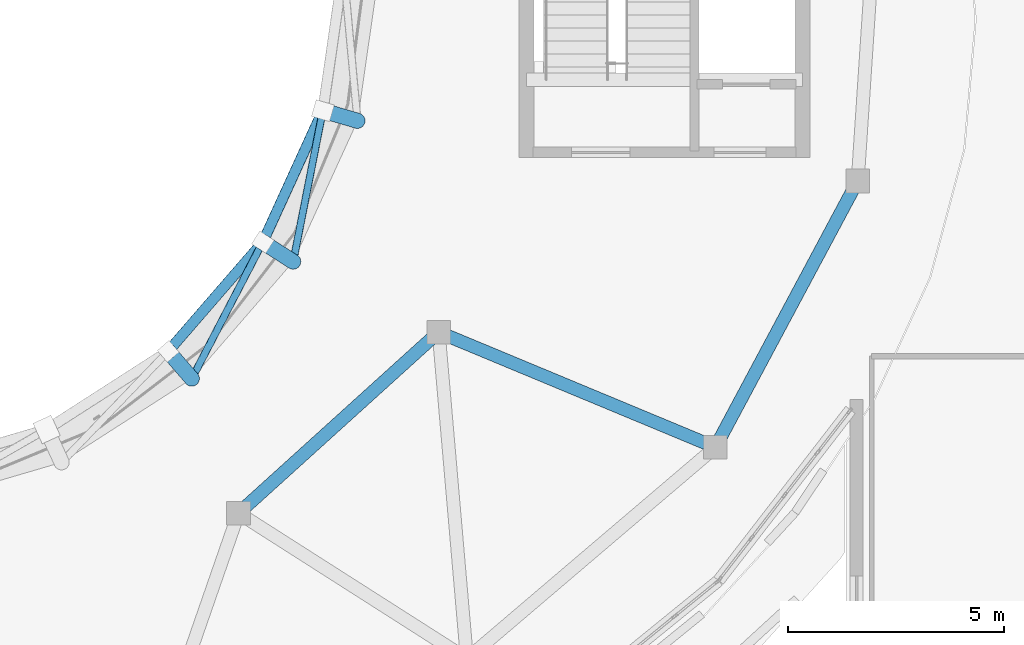
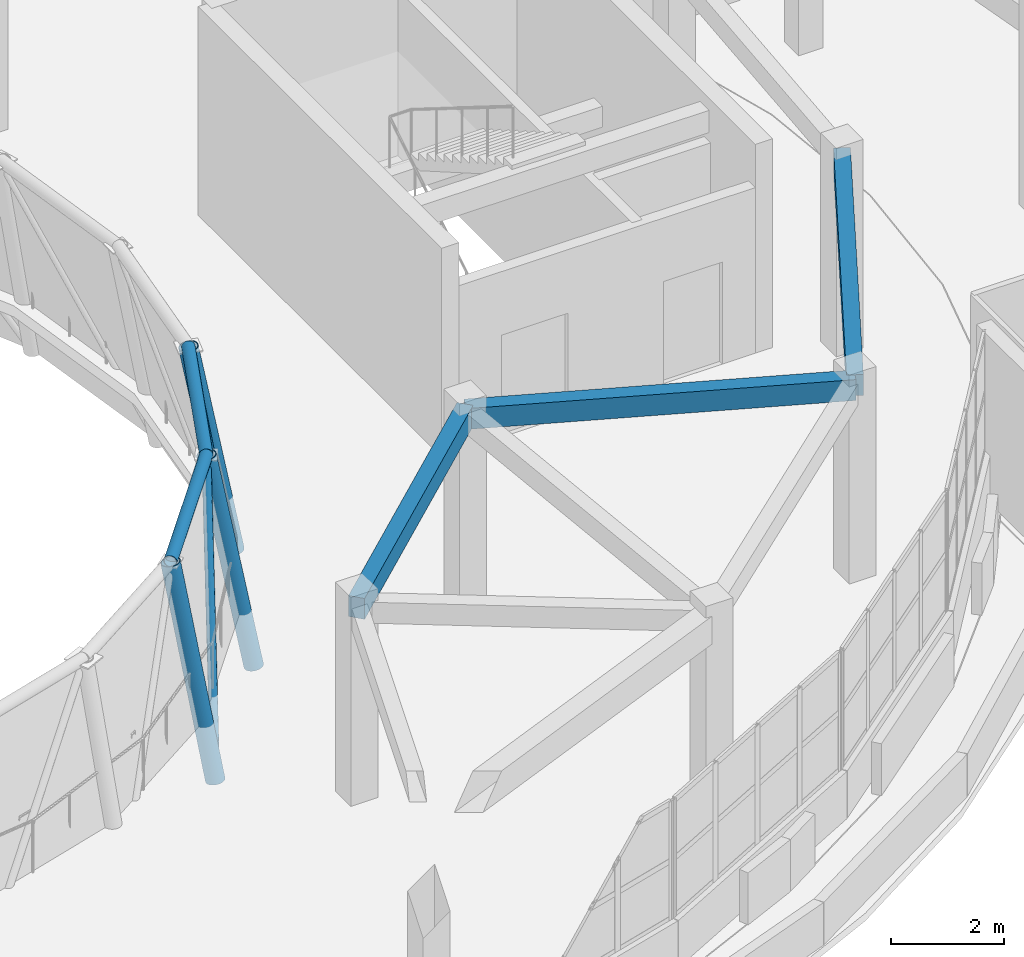
# One storey, part 10 of 46: 8 beams, 2 members.
"""IFC4 building model written with IfcOpenShell, lengths in metres."""

from ifc_helpers import new_model, si_unit, direction, frame, origin, origin_2d, place, context, subcontext, project, spatial, rectangle, hollow_circle, extrude, material, material_profile, profile_set, type_object, element, save


model = new_model("IFC4")

# Units and contexts
model_context = context("Model", 3, precision=1e-05, world=origin(), true_north=direction((0.0, 1.0)))
body_context = subcontext(model_context, "Body", "Model", "MODEL_VIEW")
ifc_project = project(units=[si_unit("LENGTHUNIT", "METRE"), si_unit("AREAUNIT", "SQUARE_METRE"), si_unit("VOLUMEUNIT", "CUBIC_METRE"), si_unit("PLANEANGLEUNIT", "RADIAN"), si_unit("MASSUNIT", "GRAM", prefix="KILO")], contexts=[model_context])

# Site, building, storey
site_placement = place(None, origin())
site = spatial("IfcSite", under=ifc_project, at=site_placement, CompositionType="ELEMENT")
building_placement = place(site_placement, origin())
building = spatial("IfcBuilding", under=site, at=building_placement, Name="Pelvatis Terrace Science Centre", CompositionType="ELEMENT")
storey_placement = place(building_placement, frame((0.0, 0.0, 19.800048828125)))
storey = spatial("IfcBuildingStorey", under=building, at=storey_placement, Name="L04", CompositionType="ELEMENT", Elevation=19.800048828125)

# Beams
ifc_material_1 = material(Name="Structural steel S355", Category="steel")
ifc_material_profile_1 = material_profile(ifc_material_1, hollow_circle(Radius=0.177734375, WallThickness=0.012451171875, at=origin_2d()), Name="CHS 355.6x12.5")
ifc_profile_set_1 = profile_set([ifc_material_profile_1], Name="Structural steel S355")
beam_type_1 = type_object("IfcBeamType", Name="BM-DOME-CHS355", PredefinedType="BEAM", material=ifc_profile_set_1)
for number, where, z_axis, x_axis, name in (
    (1, (117.451171875, 76.277587890625, -1.199951171875), (-0.119299499759, 0.137694164161, 0.983263925156), (-0.755785356787, -0.654819436537, 0.0), "Planetarium meridional dome rib 20.1"),
    (2, (119.7998046875, 78.98779296875, -1.199951171875), (-0.153321899668, 0.098564078358, 0.983248451583), (-0.540757591313, -0.841178475377, 0.0), "Planetarium meridional dome rib 21.1"),
    (3, (121.28955078125, 82.250244140625, -1.199951171875), (-0.174854376661, 0.051302667522, 0.983256824674), (-0.28153445715, -0.95955111872, 0.0), "Planetarium meridional dome rib 22.1"),
):
    element("IfcBeam", number, at=place(storey_placement, frame(where, z_axis=z_axis, x_axis=x_axis)), inside=storey, type_object=beam_type_1, Name=name, PredefinedType="BEAM", context=body_context, shape_type="SweptSolid", body=[
        extrude(hollow_circle(Radius=0.177734375, WallThickness=0.012451171875, at=origin_2d()), origin(), (0.0, 0.0, 1.0), 4.59228515625),
    ])
ifc_material_2 = material(Name="Structural steel S355", Category="steel")
ifc_material_profile_2 = material_profile(ifc_material_2, hollow_circle(Radius=0.122314453125, WallThickness=0.010009765625, at=origin_2d()), Name="CHS 244.5x10.0")
ifc_profile_set_2 = profile_set([ifc_material_profile_2], Name="Structural steel S355")
beam_type_2 = type_object("IfcBeamType", Name="BM-HOOP-CHS244", PredefinedType="BEAM", material=ifc_profile_set_2)
beam_1_placement = place(storey_placement, frame((116.9033203125, 76.909912109375, 3.3154296875), z_axis=(0.654805606124, 0.755797339363, 0.0), x_axis=(-0.755797339363, 0.654805606124, 0.0)))
element("IfcBeam", 4, at=beam_1_placement, inside=storey, type_object=beam_type_2, Name="Planetarium dome hoop ring 2.20", PredefinedType="BEAM", context=body_context, shape_type="SweptSolid", body=[
    extrude(hollow_circle(Radius=0.122314453125, WallThickness=0.010009765625, at=origin_2d()), origin(), (0.0, 0.0, 1.0), 3.34814453125),
])
beam_2_placement = place(storey_placement, frame((119.095703125, 79.4404296875, 3.3154296875), z_axis=(0.415434023951, 0.909623313105, 0.0), x_axis=(-0.909623313105, 0.415434023951, 0.0)))
element("IfcBeam", 5, at=beam_2_placement, inside=storey, type_object=beam_type_2, Name="Planetarium dome hoop ring 2.21", PredefinedType="BEAM", context=body_context, shape_type="SweptSolid", body=[
    extrude(hollow_circle(Radius=0.122314453125, WallThickness=0.010009765625, at=origin_2d()), origin(), (0.0, 0.0, 1.0), 3.347900390625),
])
ifc_material_3 = material(Name="Concrete C35/45", Category="concrete")
ifc_material_profile_3 = material_profile(ifc_material_3, rectangle(XDim=0.300048828125, YDim=0.449951171875, at=origin_2d()), Name="RC-BM 300x450")
ifc_profile_set_3 = profile_set([ifc_material_profile_3], Name="Concrete C35/45")
beam_type_3 = type_object("IfcBeamType", Name="BM-RC-300x450", PredefinedType="BEAM", material=ifc_profile_set_3)
beam_3_placement = place(storey_placement, frame((129.57958984375, 74.6884765625, 4.02490234375), z_axis=(0.471365103295, 0.881938172094, 0.0), x_axis=(-0.881938172094, 0.471365103295, 0.0)))
element("IfcBeam", 6, at=beam_3_placement, inside=storey, type_object=beam_type_3, Name="Beam BM-L04-3102", PredefinedType="BEAM", context=body_context, shape_type="SweptSolid", body=[
    extrude(rectangle(XDim=0.300048828125, YDim=0.449951171875, at=origin_2d()), origin(), (0.0, 0.0, 1.0), 6.995849609375),
])
beam_4_placement = place(storey_placement, frame((129.57958984375, 74.6884765625, 4.02490234375), z_axis=(-0.923304582387, 0.384068546152, 0.0), x_axis=(-0.384068546152, -0.923304582387, 0.0)))
element("IfcBeam", 7, at=beam_4_placement, inside=storey, type_object=beam_type_3, Name="Beam BM-L04-3103", PredefinedType="BEAM", context=body_context, shape_type="SweptSolid", body=[
    extrude(rectangle(XDim=0.300048828125, YDim=0.449951171875, at=origin_2d()), origin(), (0.0, 0.0, 1.0), 6.943359375),
])
beam_5_placement = place(storey_placement, frame((118.53369140625, 73.16162109375, 4.02490234375), z_axis=(0.741533928448, 0.670915369447, 0.0), x_axis=(-0.670915369447, 0.741533928448, 0.0)))
element("IfcBeam", 8, at=beam_5_placement, inside=storey, type_object=beam_type_3, Name="Beam BM-L04-3106", PredefinedType="BEAM", context=body_context, shape_type="SweptSolid", body=[
    extrude(rectangle(XDim=0.300048828125, YDim=0.449951171875, at=origin_2d()), origin(), (0.0, 0.0, 1.0), 6.25048828125),
])

# Members
ifc_material_4 = material(Name="Structural steel S355", Category="steel")
ifc_material_profile_4 = material_profile(ifc_material_4, hollow_circle(Radius=0.084228515625, WallThickness=0.00634765625, at=origin_2d()), Name="CHS 168.3x6.3")
ifc_profile_set_4 = profile_set([ifc_material_profile_4], Name="Structural steel S355")
member_type = type_object("IfcMemberType", Name="MEM-BRC-CHS168", PredefinedType="BRACE", material=ifc_profile_set_4)
for number, where, z_axis, x_axis, name in (
    (9, (117.451171875, 76.277587890625, -1.199951171875), (0.285857559546, 0.549775042149, 0.784877607453), (-0.887233620207, 0.461320391024, 0.0), "Planetarium dome lateral brace 1.20"),
    (10, (119.7998046875, 78.98779296875, -1.199951171875), (0.119376211509, 0.608042075543, 0.78487843294), (-0.981267320044, 0.192651100732, 0.0), "Planetarium dome lateral brace 1.21"),
):
    element("IfcMember", number, at=place(storey_placement, frame(where, z_axis=z_axis, x_axis=x_axis)), inside=storey, type_object=member_type, Name=name, PredefinedType="BRACE", context=body_context, shape_type="SweptSolid", body=[
        extrude(hollow_circle(Radius=0.084228515625, WallThickness=0.00634765625, at=origin_2d()), origin(), (0.0, 0.0, 1.0), 5.7529296875),
    ])

save(model, "model.ifc")
